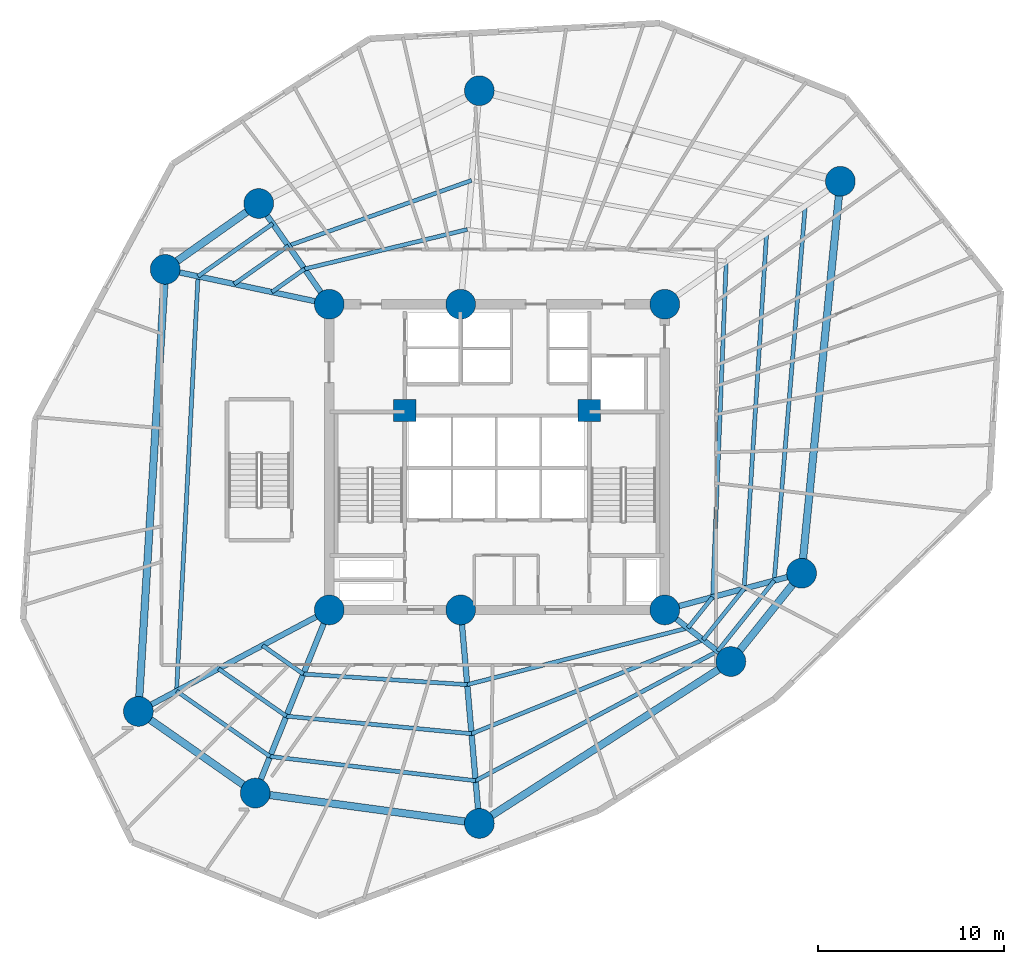
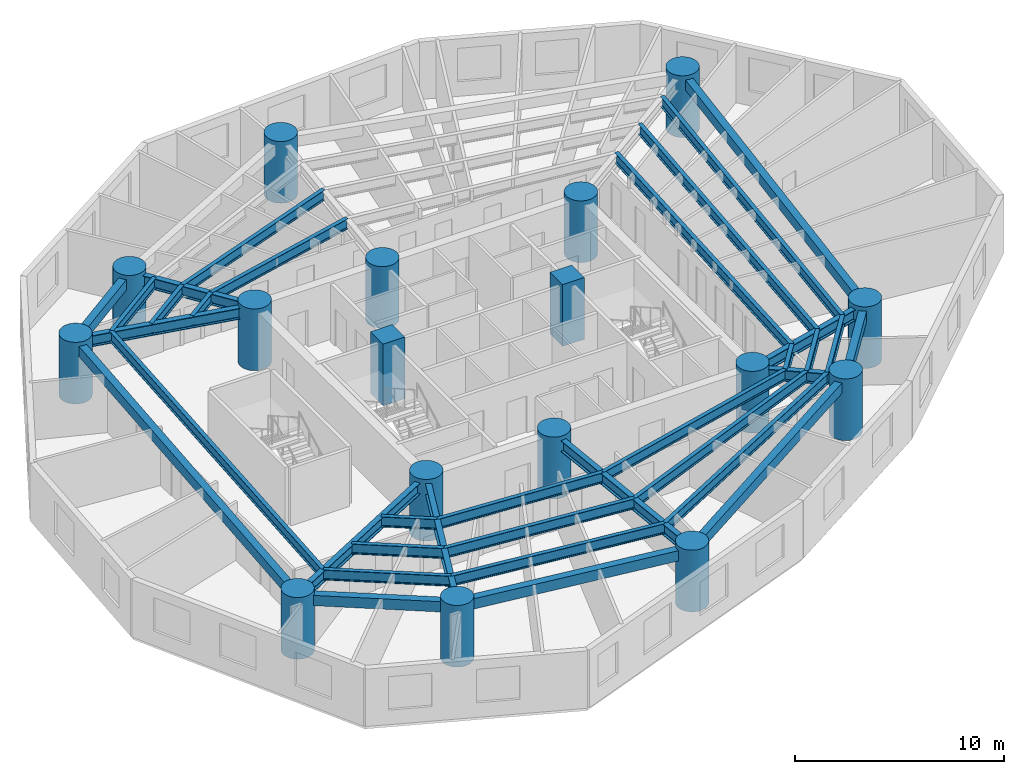
# One storey, part 1 of 8: 35 beams, 17 columns.
"""IFC4 building model written with IfcOpenShell, lengths in metres."""

from ifc_helpers import new_model, si_unit, direction, frame, origin, origin_with_axes, origin_2d, place, context, subcontext, project, spatial, rectangle, circle, i_section, extrude, source, transform, mapped, material, material_profile, profile_set, type_object, element, save


model = new_model("IFC4")

# Units and contexts
model_context = context("Model", 3, precision=1e-05, world=origin(), true_north=direction((0.0, 1.0)))
body_context = subcontext(model_context, "Body", "Model", "MODEL_VIEW")
ifc_project = project(units=[si_unit("LENGTHUNIT", "METRE"), si_unit("AREAUNIT", "SQUARE_METRE"), si_unit("VOLUMEUNIT", "CUBIC_METRE"), si_unit("PLANEANGLEUNIT", "RADIAN"), si_unit("MASSUNIT", "GRAM", prefix="KILO")], contexts=[model_context])

# Site, building, storey
site_placement = place(None, origin())
site = spatial("IfcSite", under=ifc_project, at=site_placement, CompositionType="ELEMENT")
building_placement = place(site_placement, origin())
building = spatial("IfcBuilding", under=site, at=building_placement, Name="Karkom Vertical University and Central Library", CompositionType="ELEMENT")
storey_placement = place(building_placement, frame((0.0, 0.0, 37.300048828125)))
storey = spatial("IfcBuildingStorey", under=building, at=storey_placement, Name="L09", CompositionType="ELEMENT", Elevation=37.300048828125)

# Columns
ifc_material_1 = material(Name="Concrete C50/60", Category="concrete")
ifc_material_profile_1 = material_profile(ifc_material_1, circle(Radius=0.800048828125, at=origin_2d()), Name="CFT-D1600")
ifc_profile_set_1 = profile_set([ifc_material_profile_1], Name="Concrete C50/60")
column_type_1 = type_object("IfcColumnType", Name="STR-COL-C-SC2", PredefinedType="COLUMN", material=ifc_profile_set_1)
shared_shape_1 = source(origin_with_axes(), body_context, "Body", "SweptSolid", [
    extrude(circle(Radius=0.800048828125, at=origin_2d()), origin(), (0.0, 0.0, 1.0), 3.599853515625),
])
for number, where, z_axis, x_axis, name in (
    (1, (19.5, 18.300048828125, 0.0), (0.0, 0.0, 1.0), (1.0, 0.0, 0.0), "Level 09 Spine Mega-Column SC-1"),
    (2, (26.550048828125, 18.300048828125, 0.0), (0.0, 0.0, 1.0), (1.0, 0.0, 0.0), "Level 09 Spine Mega-Column SC-2"),
    (3, (37.5, 18.300048828125, 0.0), (0.0, 0.0, 1.0), (1.0, 0.0, 0.0), "Level 09 Spine Mega-Column SC-3"),
    (4, (19.5, 34.699951171875, 0.0), (0.0, 0.0, 1.0), (1.0, 0.0, 0.0), "Level 09 Spine Mega-Column SC-4"),
    (5, (26.550048828125, 34.699951171875, 0.0), (0.0, 0.0, 1.0), (1.0, 0.0, 0.0), "Level 09 Spine Mega-Column SC-5"),
    (6, (37.5, 34.699951171875, 0.0), (0.0, 0.0, 1.0), (1.0, 0.0, 0.0), "Level 09 Spine Mega-Column SC-6"),
    (7, (44.841064453125, 20.26708984375, 0.0), (0.0, 0.0, 1.0), (1.0, 0.0, 0.0), "Level 09 Perimeter Mega-Column Z1-PC1"),
    (8, (46.919921875, 41.2958984375, 0.0), (0.0, 0.0, 1.0), (1.0, 0.0, 0.0), "Level 09 Perimeter Mega-Column Z1-PC2"),
    (9, (27.552001953125, 46.156005859375, 0.0), (0.0, 0.0, 1.0), (1.0, 0.0, 0.0), "Level 09 Perimeter Mega-Column Z1-PC3"),
    (10, (15.714111328125, 40.10595703125, 0.0), (0.0, 0.0, 1.0), (1.0, 0.0, 0.0), "Level 09 Perimeter Mega-Column Z1-PC4"),
    (11, (10.697021484375, 36.571044921875, 0.0), (0.0, 0.0, 1.0), (1.0, 0.0, 0.0), "Level 09 Perimeter Mega-Column Z1-PC5"),
    (12, (9.258056640625, 12.85400390625, 0.0), (0.0, 0.0, 1.0), (1.0, 0.0, 0.0), "Level 09 Perimeter Mega-Column Z1-PC6"),
    (13, (15.529052734375, 8.471923828125, 0.0), (0.0, 0.0, 1.0), (1.0, 0.0, 0.0), "Level 09 Perimeter Mega-Column Z1-PC7"),
    (14, (27.552001953125, 6.843994140625, 0.0), (0.0, 0.0, 1.0), (1.0, 0.0, 0.0), "Level 09 Perimeter Mega-Column Z1-PC8"),
    (15, (41.0458984375, 15.530029296875, 0.0), (0.0, 0.0, 1.0), (1.0, 0.0, 0.0), "Level 09 Perimeter Mega-Column Z1-PC9"),
):
    element("IfcColumn", number, at=place(storey_placement, frame(where, z_axis=z_axis, x_axis=x_axis)), inside=storey, type_object=column_type_1, Name=name, PredefinedType="COLUMN", context=body_context, shape_type="MappedRepresentation", body=[
        mapped(shared_shape_1, transform((0.0, 0.0, 0.0), scale=1.0)),
    ])
ifc_material_profile_2 = material_profile(ifc_material_1, rectangle(XDim=1.199951171875, YDim=1.199951171875, at=origin_2d()), Name="RC-1200x1200")
ifc_profile_set_2 = profile_set([ifc_material_profile_2], Name="Concrete C50/60")
column_type_2 = type_object("IfcColumnType", Name="STR-COL-C-CC1", PredefinedType="COLUMN", material=ifc_profile_set_2)
shared_shape_2 = source(origin_with_axes(), body_context, "Body", "SweptSolid", [
    extrude(rectangle(XDim=1.199951171875, YDim=1.199951171875, at=origin_2d()), origin(), (0.0, 0.0, 1.0), 3.599853515625),
])
for number, where, z_axis, x_axis, name in (
    (16, (23.550048828125, 29.0, 0.0), (0.0, 0.0, 1.0), (1.0, 0.0, 0.0), "Level 09 Core Node Column CC-1"),
    (17, (33.449951171875, 29.0, 0.0), (0.0, 0.0, 1.0), (1.0, 0.0, 0.0), "Level 09 Core Node Column CC-2"),
):
    element("IfcColumn", number, at=place(storey_placement, frame(where, z_axis=z_axis, x_axis=x_axis)), inside=storey, type_object=column_type_2, Name=name, PredefinedType="COLUMN", context=body_context, shape_type="MappedRepresentation", body=[
        mapped(shared_shape_2, transform((0.0, 0.0, 0.0), scale=1.0)),
    ])

# Beams
ifc_material_2 = material(Name="Steel S355", Category="steel")
ifc_material_profile_3 = material_profile(ifc_material_2, i_section(OverallWidth=0.300048828125, OverallDepth=0.64990234375, WebThickness=0.01611328125, FlangeThickness=0.031005859375, FilletRadius=0.027099609375, at=origin_2d()), Name="HE 650 B")
ifc_profile_set_3 = profile_set([ifc_material_profile_3], Name="Steel S355")
beam_type_1 = type_object("IfcBeamType", Name="STR-BM-SB-HE650", PredefinedType="USERDEFINED", material=ifc_profile_set_3)
shared_shape_3 = source(origin_with_axes(), body_context, "Body", "SweptSolid", [
    extrude(i_section(OverallWidth=0.300048828125, OverallDepth=0.64990234375, WebThickness=0.01611328125, FlangeThickness=0.031005859375, FilletRadius=0.027099609375, at=origin_2d()), origin(), (0.0, 0.0, 1.0), 7.60009765625),
])
beam_1_placement = place(storey_placement, frame((37.5, 18.300048828125, 3.02490234375), z_axis=(0.965925539322, 0.258820116077, 0.0), x_axis=(-0.258820116077, 0.965925539322, 0.0)))
element("IfcBeam", 18, at=beam_1_placement, inside=storey, type_object=beam_type_1, Name="Level 09 Radial Frame Girder 01", ObjectType="GIRDER", PredefinedType="USERDEFINED", context=body_context, shape_type="MappedRepresentation", body=[
    mapped(shared_shape_3, transform((0.0, 0.0, 0.0), scale=1.0)),
])
shared_shape_4 = source(origin_with_axes(), body_context, "Body", "SweptSolid", [
    extrude(i_section(OverallWidth=0.300048828125, OverallDepth=0.64990234375, WebThickness=0.01611328125, FlangeThickness=0.031005859375, FilletRadius=0.027099609375, at=origin_2d()), origin(), (0.0, 0.0, 1.0), 11.499755859375),
])
beam_2_placement = place(storey_placement, frame((26.550048828125, 18.300048828125, 3.02490234375), z_axis=(0.087127973109, -0.99619712723, 0.0), x_axis=(0.99619712723, 0.087127973109, 0.0)))
element("IfcBeam", 19, at=beam_2_placement, inside=storey, type_object=beam_type_1, Name="Level 09 Radial Frame Girder 08", ObjectType="GIRDER", PredefinedType="USERDEFINED", context=body_context, shape_type="MappedRepresentation", body=[
    mapped(shared_shape_4, transform((0.0, 0.0, 0.0), scale=1.0)),
])
shared_shape_5 = source(origin_with_axes(), body_context, "Body", "SweptSolid", [
    extrude(i_section(OverallWidth=0.300048828125, OverallDepth=0.64990234375, WebThickness=0.01611328125, FlangeThickness=0.031005859375, FilletRadius=0.027099609375, at=origin_2d()), origin(), (0.0, 0.0, 1.0), 6.599853515625),
])
beam_3_placement = place(storey_placement, frame((19.5, 34.699951171875, 3.02490234375), z_axis=(-0.573633636671, 0.819111989218, 0.0), x_axis=(-0.819111989218, -0.573633636671, 0.0)))
element("IfcBeam", 20, at=beam_3_placement, inside=storey, type_object=beam_type_1, Name="Level 09 Radial Frame Girder 04", ObjectType="GIRDER", PredefinedType="USERDEFINED", context=body_context, shape_type="MappedRepresentation", body=[
    mapped(shared_shape_5, transform((0.0, 0.0, 0.0), scale=1.0)),
])
shared_shape_6 = source(origin_with_axes(), body_context, "Body", "SweptSolid", [
    extrude(i_section(OverallWidth=0.300048828125, OverallDepth=0.64990234375, WebThickness=0.01611328125, FlangeThickness=0.031005859375, FilletRadius=0.027099609375, at=origin_2d()), origin(), (0.0, 0.0, 1.0), 8.999755859375),
])
beam_4_placement = place(storey_placement, frame((19.5, 34.699951171875, 3.02490234375), z_axis=(-0.978148438993, 0.207907747079, 0.0), x_axis=(-0.207907747079, -0.978148438993, 0.0)))
element("IfcBeam", 21, at=beam_4_placement, inside=storey, type_object=beam_type_1, Name="Level 09 Radial Frame Girder 05", ObjectType="GIRDER", PredefinedType="USERDEFINED", context=body_context, shape_type="MappedRepresentation", body=[
    mapped(shared_shape_6, transform((0.0, 0.0, 0.0), scale=1.0)),
])
shared_shape_7 = source(origin_with_axes(), body_context, "Body", "SweptSolid", [
    extrude(i_section(OverallWidth=0.300048828125, OverallDepth=0.64990234375, WebThickness=0.01611328125, FlangeThickness=0.031005859375, FilletRadius=0.027099609375, at=origin_2d()), origin(), (0.0, 0.0, 1.0), 11.599853515625),
])
beam_5_placement = place(storey_placement, frame((19.5, 18.300048828125, 3.02490234375), z_axis=(-0.882936620635, -0.469492197957, 0.0), x_axis=(0.469492197957, -0.882936620635, 0.0)))
element("IfcBeam", 22, at=beam_5_placement, inside=storey, type_object=beam_type_1, Name="Level 09 Radial Frame Girder 06", ObjectType="GIRDER", PredefinedType="USERDEFINED", context=body_context, shape_type="MappedRepresentation", body=[
    mapped(shared_shape_7, transform((0.0, 0.0, 0.0), scale=1.0)),
])
shared_shape_8 = source(origin_with_axes(), body_context, "Body", "SweptSolid", [
    extrude(i_section(OverallWidth=0.300048828125, OverallDepth=0.64990234375, WebThickness=0.01611328125, FlangeThickness=0.031005859375, FilletRadius=0.027099609375, at=origin_2d()), origin(), (0.0, 0.0, 1.0), 10.60009765625),
])
beam_6_placement = place(storey_placement, frame((19.5, 18.300048828125, 3.02490234375), z_axis=(-0.374616894394, -0.927179692635, 0.0), x_axis=(0.927179692635, -0.374616894394, 0.0)))
element("IfcBeam", 23, at=beam_6_placement, inside=storey, type_object=beam_type_1, Name="Level 09 Radial Frame Girder 07", ObjectType="GIRDER", PredefinedType="USERDEFINED", context=body_context, shape_type="MappedRepresentation", body=[
    mapped(shared_shape_8, transform((0.0, 0.0, 0.0), scale=1.0)),
])
shared_shape_9 = source(origin_with_axes(), body_context, "Body", "SweptSolid", [
    extrude(i_section(OverallWidth=0.300048828125, OverallDepth=0.64990234375, WebThickness=0.01611328125, FlangeThickness=0.031005859375, FilletRadius=0.027099609375, at=origin_2d()), origin(), (0.0, 0.0, 1.0), 4.49951171875),
])
beam_7_placement = place(storey_placement, frame((37.5, 18.300048828125, 3.02490234375), z_axis=(0.788047405801, -0.615614559778, 0.0), x_axis=(0.615614559778, 0.788047405801, 0.0)))
element("IfcBeam", 24, at=beam_7_placement, inside=storey, type_object=beam_type_1, Name="Level 09 Radial Frame Girder 09", ObjectType="GIRDER", PredefinedType="USERDEFINED", context=body_context, shape_type="MappedRepresentation", body=[
    mapped(shared_shape_9, transform((0.0, 0.0, 0.0), scale=1.0)),
])
ifc_material_3 = material(Name="Precast concrete C45/55", Category="concrete")
ifc_material_profile_4 = material_profile(ifc_material_3, rectangle(XDim=0.39990234375, YDim=0.60009765625, at=origin_2d()), Name="SPB-400x600")
ifc_profile_set_4 = profile_set([ifc_material_profile_4], Name="Precast concrete C45/55")
beam_type_2 = type_object("IfcBeamType", Name="STR-BM-SP-1", PredefinedType="SPANDREL", material=ifc_profile_set_4)
shared_shape_10 = source(origin_with_axes(), body_context, "Body", "SweptSolid", [
    extrude(rectangle(XDim=0.39990234375, YDim=0.60009765625, at=origin_2d()), origin(), (0.0, 0.0, 1.0), 21.13134765625),
])
beam_8_placement = place(storey_placement, frame((44.841064453125, 20.26708984375, 3.050048828125), z_axis=(0.0983780471, 0.995149114379, 0.0), x_axis=(-0.995149114379, 0.0983780471, 0.0)))
element("IfcBeam", 25, at=beam_8_placement, inside=storey, type_object=beam_type_2, Name="Level 09 Perimeter Spandrel Beam 01", PredefinedType="SPANDREL", context=body_context, shape_type="MappedRepresentation", body=[
    mapped(shared_shape_10, transform((0.0, 0.0, 0.0), scale=1.0)),
])
shared_shape_11 = source(origin_with_axes(), body_context, "Body", "SweptSolid", [
    extrude(rectangle(XDim=0.39990234375, YDim=0.60009765625, at=origin_2d()), origin(), (0.0, 0.0, 1.0), 6.13720703125),
])
beam_9_placement = place(storey_placement, frame((15.714111328125, 40.10595703125, 3.050048828125), z_axis=(-0.817471365538, -0.575969240955, 0.0), x_axis=(0.575969240955, -0.817471365538, 0.0)))
element("IfcBeam", 26, at=beam_9_placement, inside=storey, type_object=beam_type_2, Name="Level 09 Perimeter Spandrel Beam 04", PredefinedType="SPANDREL", context=body_context, shape_type="MappedRepresentation", body=[
    mapped(shared_shape_11, transform((0.0, 0.0, 0.0), scale=1.0)),
])
shared_shape_12 = source(origin_with_axes(), body_context, "Body", "SweptSolid", [
    extrude(rectangle(XDim=0.39990234375, YDim=0.60009765625, at=origin_2d()), origin(), (0.0, 0.0, 1.0), 23.7607421875),
])
beam_10_placement = place(storey_placement, frame((10.697021484375, 36.571044921875, 3.050048828125), z_axis=(-0.060560827767, -0.998164508556, 0.0), x_axis=(0.998164508556, -0.060560827767, 0.0)))
element("IfcBeam", 27, at=beam_10_placement, inside=storey, type_object=beam_type_2, Name="Level 09 Perimeter Spandrel Beam 05", PredefinedType="SPANDREL", context=body_context, shape_type="MappedRepresentation", body=[
    mapped(shared_shape_12, transform((0.0, 0.0, 0.0), scale=1.0)),
])
shared_shape_13 = source(origin_with_axes(), body_context, "Body", "SweptSolid", [
    extrude(rectangle(XDim=0.39990234375, YDim=0.60009765625, at=origin_2d()), origin(), (0.0, 0.0, 1.0), 7.650390625),
])
beam_11_placement = place(storey_placement, frame((9.258056640625, 12.85400390625, 3.050048828125), z_axis=(0.819699409527, -0.572793922822, 0.0), x_axis=(0.572793922822, 0.819699409527, 0.0)))
element("IfcBeam", 28, at=beam_11_placement, inside=storey, type_object=beam_type_2, Name="Level 09 Perimeter Spandrel Beam 06", PredefinedType="SPANDREL", context=body_context, shape_type="MappedRepresentation", body=[
    mapped(shared_shape_13, transform((0.0, 0.0, 0.0), scale=1.0)),
])
shared_shape_14 = source(origin_with_axes(), body_context, "Body", "SweptSolid", [
    extrude(rectangle(XDim=0.39990234375, YDim=0.60009765625, at=origin_2d()), origin(), (0.0, 0.0, 1.0), 12.132568359375),
])
beam_12_placement = place(storey_placement, frame((15.529052734375, 8.471923828125, 3.050048828125), z_axis=(0.990957319008, -0.134177464223, 0.0), x_axis=(0.134177464223, 0.990957319008, 0.0)))
element("IfcBeam", 29, at=beam_12_placement, inside=storey, type_object=beam_type_2, Name="Level 09 Perimeter Spandrel Beam 07", PredefinedType="SPANDREL", context=body_context, shape_type="MappedRepresentation", body=[
    mapped(shared_shape_14, transform((0.0, 0.0, 0.0), scale=1.0)),
])
shared_shape_15 = source(origin_with_axes(), body_context, "Body", "SweptSolid", [
    extrude(rectangle(XDim=0.39990234375, YDim=0.60009765625, at=origin_2d()), origin(), (0.0, 0.0, 1.0), 16.0478515625),
])
beam_13_placement = place(storey_placement, frame((27.552001953125, 6.843994140625, 3.050048828125), z_axis=(0.84085555045, 0.541259589548, 0.0), x_axis=(-0.541259589548, 0.84085555045, 0.0)))
element("IfcBeam", 30, at=beam_13_placement, inside=storey, type_object=beam_type_2, Name="Level 09 Perimeter Spandrel Beam 08", PredefinedType="SPANDREL", context=body_context, shape_type="MappedRepresentation", body=[
    mapped(shared_shape_15, transform((0.0, 0.0, 0.0), scale=1.0)),
])
shared_shape_16 = source(origin_with_axes(), body_context, "Body", "SweptSolid", [
    extrude(rectangle(XDim=0.39990234375, YDim=0.60009765625, at=origin_2d()), origin(), (0.0, 0.0, 1.0), 6.06982421875),
])
beam_14_placement = place(storey_placement, frame((41.0458984375, 15.530029296875, 3.050048828125), z_axis=(0.625249167344, 0.780425190992, 0.0), x_axis=(-0.780425190992, 0.625249167344, 0.0)))
element("IfcBeam", 31, at=beam_14_placement, inside=storey, type_object=beam_type_2, Name="Level 09 Perimeter Spandrel Beam 09", PredefinedType="SPANDREL", context=body_context, shape_type="MappedRepresentation", body=[
    mapped(shared_shape_16, transform((0.0, 0.0, 0.0), scale=1.0)),
])
ifc_material_profile_5 = material_profile(ifc_material_2, i_section(OverallWidth=0.219970703125, OverallDepth=0.60009765625, WebThickness=0.011962890625, FlangeThickness=0.01904296875, FilletRadius=0.02392578125, at=origin_2d()), Name="IPE 600")
ifc_profile_set_5 = profile_set([ifc_material_profile_5], Name="Steel S355")
beam_type_3 = type_object("IfcBeamType", Name="STR-BM-SB-IPE600", PredefinedType="BEAM", material=ifc_profile_set_5)
shared_shape_17 = source(origin_with_axes(), body_context, "Body", "SweptSolid", [
    extrude(i_section(OverallWidth=0.219970703125, OverallDepth=0.60009765625, WebThickness=0.011962890625, FlangeThickness=0.01904296875, FilletRadius=0.02392578125, at=origin_2d()), origin(), (0.0, 0.0, 1.0), 18.03466796875),
])
beam_15_placement = place(storey_placement, frame((40.0693359375, 18.988525390625, 3.050048828125), z_axis=(0.04035458262, 0.999185422062, 0.0), x_axis=(-0.999185422062, 0.04035458262, 0.0)))
element("IfcBeam", 32, at=beam_15_placement, inside=storey, type_object=beam_type_3, Name="Level 09 Secondary Composite Floor Beam 1.01", PredefinedType="BEAM", context=body_context, shape_type="MappedRepresentation", body=[
    mapped(shared_shape_17, transform((0.0, 0.0, 0.0), scale=1.0)),
])
shared_shape_18 = source(origin_with_axes(), body_context, "Body", "SweptSolid", [
    extrude(i_section(OverallWidth=0.219970703125, OverallDepth=0.60009765625, WebThickness=0.011962890625, FlangeThickness=0.01904296875, FilletRadius=0.02392578125, at=origin_2d()), origin(), (0.0, 0.0, 1.0), 8.97900390625),
])
beam_16_placement = place(storey_placement, frame((26.900634765625, 38.709716796875, 3.050048828125), z_axis=(-0.971790837509, -0.235844372697, 0.0), x_axis=(0.235844372697, -0.971790837509, 0.0)))
element("IfcBeam", 33, at=beam_16_placement, inside=storey, type_object=beam_type_3, Name="Level 09 Secondary Composite Floor Beam 1.03", PredefinedType="BEAM", context=body_context, shape_type="MappedRepresentation", body=[
    mapped(shared_shape_18, transform((0.0, 0.0, 0.0), scale=1.0)),
])
shared_shape_19 = source(origin_with_axes(), body_context, "Body", "SweptSolid", [
    extrude(i_section(OverallWidth=0.219970703125, OverallDepth=0.60009765625, WebThickness=0.011962890625, FlangeThickness=0.01904296875, FilletRadius=0.02392578125, at=origin_2d()), origin(), (0.0, 0.0, 1.0), 2.14794921875),
])
beam_17_placement = place(storey_placement, frame((18.1748046875, 36.592041015625, 3.050048828125), z_axis=(-0.817433780971, -0.576022580918, 0.0), x_axis=(0.576022580918, -0.817433780971, 0.0)))
element("IfcBeam", 34, at=beam_17_placement, inside=storey, type_object=beam_type_3, Name="Level 09 Secondary Composite Floor Beam 1.04", PredefinedType="BEAM", context=body_context, shape_type="MappedRepresentation", body=[
    mapped(shared_shape_19, transform((0.0, 0.0, 0.0), scale=1.0)),
])
shared_shape_20 = source(origin_with_axes(), body_context, "Body", "SweptSolid", [
    extrude(i_section(OverallWidth=0.219970703125, OverallDepth=0.60009765625, WebThickness=0.011962890625, FlangeThickness=0.01904296875, FilletRadius=0.02392578125, at=origin_2d()), origin(), (0.0, 0.0, 1.0), 2.677490234375),
])
beam_18_placement = place(storey_placement, frame((15.915283203125, 16.393798828125, 3.050048828125), z_axis=(0.819702839548, -0.572789014243, 0.0), x_axis=(0.572789014243, 0.819702839548, 0.0)))
element("IfcBeam", 35, at=beam_18_placement, inside=storey, type_object=beam_type_3, Name="Level 09 Secondary Composite Floor Beam 1.06", PredefinedType="BEAM", context=body_context, shape_type="MappedRepresentation", body=[
    mapped(shared_shape_20, transform((0.0, 0.0, 0.0), scale=1.0)),
])
shared_shape_21 = source(origin_with_axes(), body_context, "Body", "SweptSolid", [
    extrude(i_section(OverallWidth=0.219970703125, OverallDepth=0.60009765625, WebThickness=0.011962890625, FlangeThickness=0.01904296875, FilletRadius=0.02392578125, at=origin_2d()), origin(), (0.0, 0.0, 1.0), 8.80908203125),
])
beam_19_placement = place(storey_placement, frame((18.110107421875, 14.860107421875, 3.050048828125), z_axis=(0.997905617906, -0.064686766433, 0.0), x_axis=(0.064686766433, 0.997905617906, 0.0)))
element("IfcBeam", 36, at=beam_19_placement, inside=storey, type_object=beam_type_3, Name="Level 09 Secondary Composite Floor Beam 1.07", PredefinedType="BEAM", context=body_context, shape_type="MappedRepresentation", body=[
    mapped(shared_shape_21, transform((0.0, 0.0, 0.0), scale=1.0)),
])
shared_shape_22 = source(origin_with_axes(), body_context, "Body", "SweptSolid", [
    extrude(i_section(OverallWidth=0.219970703125, OverallDepth=0.60009765625, WebThickness=0.011962890625, FlangeThickness=0.01904296875, FilletRadius=0.02392578125, at=origin_2d()), origin(), (0.0, 0.0, 1.0), 12.224609375),
])
beam_20_placement = place(storey_placement, frame((26.900634765625, 14.290283203125, 3.050048828125), z_axis=(0.968580403264, 0.248700628092, 0.0), x_axis=(-0.248700628092, 0.968580403264, 0.0)))
element("IfcBeam", 37, at=beam_20_placement, inside=storey, type_object=beam_type_3, Name="Level 09 Secondary Composite Floor Beam 1.08", PredefinedType="BEAM", context=body_context, shape_type="MappedRepresentation", body=[
    mapped(shared_shape_22, transform((0.0, 0.0, 0.0), scale=1.0)),
])
shared_shape_23 = source(origin_with_axes(), body_context, "Body", "SweptSolid", [
    extrude(i_section(OverallWidth=0.219970703125, OverallDepth=0.60009765625, WebThickness=0.011962890625, FlangeThickness=0.01904296875, FilletRadius=0.02392578125, at=origin_2d()), origin(), (0.0, 0.0, 1.0), 2.124267578125),
])
beam_21_placement = place(storey_placement, frame((38.7412109375, 17.33056640625, 3.050048828125), z_axis=(0.625199471959, 0.780465002587, 0.0), x_axis=(-0.780465002587, 0.625199471959, 0.0)))
element("IfcBeam", 38, at=beam_21_placement, inside=storey, type_object=beam_type_3, Name="Level 09 Secondary Composite Floor Beam 1.09", PredefinedType="BEAM", context=body_context, shape_type="MappedRepresentation", body=[
    mapped(shared_shape_23, transform((0.0, 0.0, 0.0), scale=1.0)),
])
shared_shape_24 = source(origin_with_axes(), body_context, "Body", "SweptSolid", [
    extrude(i_section(OverallWidth=0.219970703125, OverallDepth=0.60009765625, WebThickness=0.011962890625, FlangeThickness=0.01904296875, FilletRadius=0.02392578125, at=origin_2d()), origin(), (0.0, 0.0, 1.0), 19.122802734375),
])
beam_22_placement = place(storey_placement, frame((41.7578125, 19.44091796875, 3.050048828125), z_axis=(0.063056264597, 0.998009973645, 0.0), x_axis=(-0.998009973645, 0.063056264597, 0.0)))
element("IfcBeam", 39, at=beam_22_placement, inside=storey, type_object=beam_type_3, Name="Level 09 Secondary Composite Floor Beam 2.01", PredefinedType="BEAM", context=body_context, shape_type="MappedRepresentation", body=[
    mapped(shared_shape_24, transform((0.0, 0.0, 0.0), scale=1.0)),
])
shared_shape_25 = source(origin_with_axes(), body_context, "Body", "SweptSolid", [
    extrude(i_section(OverallWidth=0.219970703125, OverallDepth=0.60009765625, WebThickness=0.011962890625, FlangeThickness=0.01904296875, FilletRadius=0.02392578125, at=origin_2d()), origin(), (0.0, 0.0, 1.0), 10.4345703125),
])
beam_23_placement = place(storey_placement, frame((27.131103515625, 41.344482421875, 3.050048828125), z_axis=(-0.941759378798, -0.336287484819, 0.0), x_axis=(0.336287484819, -0.941759378798, 0.0)))
element("IfcBeam", 40, at=beam_23_placement, inside=storey, type_object=beam_type_3, Name="Level 09 Secondary Composite Floor Beam 2.03", PredefinedType="BEAM", context=body_context, shape_type="MappedRepresentation", body=[
    mapped(shared_shape_25, transform((0.0, 0.0, 0.0), scale=1.0)),
])
shared_shape_26 = source(origin_with_axes(), body_context, "Body", "SweptSolid", [
    extrude(i_section(OverallWidth=0.219970703125, OverallDepth=0.60009765625, WebThickness=0.011962890625, FlangeThickness=0.01904296875, FilletRadius=0.02392578125, at=origin_2d()), origin(), (0.0, 0.0, 1.0), 3.5595703125),
])
beam_24_placement = place(storey_placement, frame((17.30419921875, 37.83544921875, 3.050048828125), z_axis=(-0.817465552849, -0.575977490798, 0.0), x_axis=(0.575977490798, -0.817465552849, 0.0)))
element("IfcBeam", 41, at=beam_24_placement, inside=storey, type_object=beam_type_3, Name="Level 09 Secondary Composite Floor Beam 2.04", PredefinedType="BEAM", context=body_context, shape_type="MappedRepresentation", body=[
    mapped(shared_shape_26, transform((0.0, 0.0, 0.0), scale=1.0)),
])
shared_shape_27 = source(origin_with_axes(), body_context, "Body", "SweptSolid", [
    extrude(i_section(OverallWidth=0.219970703125, OverallDepth=0.60009765625, WebThickness=0.011962890625, FlangeThickness=0.01904296875, FilletRadius=0.02392578125, at=origin_2d()), origin(), (0.0, 0.0, 1.0), 4.437255859375),
])
beam_25_placement = place(storey_placement, frame((13.5595703125, 15.141357421875, 3.050048828125), z_axis=(0.819712425733, -0.572775295468, 0.0), x_axis=(0.572775295468, 0.819712425733, 0.0)))
element("IfcBeam", 42, at=beam_25_placement, inside=storey, type_object=beam_type_3, Name="Level 09 Secondary Composite Floor Beam 2.06", PredefinedType="BEAM", context=body_context, shape_type="MappedRepresentation", body=[
    mapped(shared_shape_27, transform((0.0, 0.0, 0.0), scale=1.0)),
])
shared_shape_28 = source(origin_with_axes(), body_context, "Body", "SweptSolid", [
    extrude(i_section(OverallWidth=0.219970703125, OverallDepth=0.60009765625, WebThickness=0.011962890625, FlangeThickness=0.01904296875, FilletRadius=0.02392578125, at=origin_2d()), origin(), (0.0, 0.0, 1.0), 9.97900390625),
])
beam_26_placement = place(storey_placement, frame((17.19677734375, 12.599853515625, 3.050048828125), z_axis=(0.995512389915, -0.094631292526, 0.0), x_axis=(0.094631292526, 0.995512389915, 0.0)))
element("IfcBeam", 43, at=beam_26_placement, inside=storey, type_object=beam_type_3, Name="Level 09 Secondary Composite Floor Beam 2.07", PredefinedType="BEAM", context=body_context, shape_type="MappedRepresentation", body=[
    mapped(shared_shape_28, transform((0.0, 0.0, 0.0), scale=1.0)),
])
shared_shape_29 = source(origin_with_axes(), body_context, "Body", "SweptSolid", [
    extrude(i_section(OverallWidth=0.219970703125, OverallDepth=0.60009765625, WebThickness=0.011962890625, FlangeThickness=0.01904296875, FilletRadius=0.02392578125, at=origin_2d()), origin(), (0.0, 0.0, 1.0), 13.407958984375),
])
beam_27_placement = place(storey_placement, frame((27.131103515625, 11.655517578125, 3.050048828125), z_axis=(0.926727273371, 0.375734694685, 0.0), x_axis=(-0.375734694685, 0.926727273371, 0.0)))
element("IfcBeam", 44, at=beam_27_placement, inside=storey, type_object=beam_type_3, Name="Level 09 Secondary Composite Floor Beam 2.08", PredefinedType="BEAM", context=body_context, shape_type="MappedRepresentation", body=[
    mapped(shared_shape_29, transform((0.0, 0.0, 0.0), scale=1.0)),
])
shared_shape_30 = source(origin_with_axes(), body_context, "Body", "SweptSolid", [
    extrude(i_section(OverallWidth=0.219970703125, OverallDepth=0.60009765625, WebThickness=0.011962890625, FlangeThickness=0.01904296875, FilletRadius=0.02392578125, at=origin_2d()), origin(), (0.0, 0.0, 1.0), 3.5205078125),
])
beam_28_placement = place(storey_placement, frame((39.556640625, 16.693359375, 3.050048828125), z_axis=(0.62523614548, 0.780435623473, 0.0), x_axis=(-0.780435623473, 0.62523614548, 0.0)))
element("IfcBeam", 45, at=beam_28_placement, inside=storey, type_object=beam_type_3, Name="Level 09 Secondary Composite Floor Beam 2.09", PredefinedType="BEAM", context=body_context, shape_type="MappedRepresentation", body=[
    mapped(shared_shape_30, transform((0.0, 0.0, 0.0), scale=1.0)),
])
shared_shape_31 = source(origin_with_axes(), body_context, "Body", "SweptSolid", [
    extrude(i_section(OverallWidth=0.219970703125, OverallDepth=0.60009765625, WebThickness=0.011962890625, FlangeThickness=0.01904296875, FilletRadius=0.02392578125, at=origin_2d()), origin(), (0.0, 0.0, 1.0), 20.171875),
])
beam_29_placement = place(storey_placement, frame((43.372802734375, 19.87353515625, 3.050048828125), z_axis=(0.082445490935, 0.996595575459, 0.0), x_axis=(-0.996595575459, 0.082445490935, 0.0)))
element("IfcBeam", 46, at=beam_29_placement, inside=storey, type_object=beam_type_3, Name="Level 09 Secondary Composite Floor Beam 3.01", PredefinedType="BEAM", context=body_context, shape_type="MappedRepresentation", body=[
    mapped(shared_shape_31, transform((0.0, 0.0, 0.0), scale=1.0)),
])
shared_shape_32 = source(origin_with_axes(), body_context, "Body", "SweptSolid", [
    extrude(i_section(OverallWidth=0.219970703125, OverallDepth=0.60009765625, WebThickness=0.011962890625, FlangeThickness=0.01904296875, FilletRadius=0.02392578125, at=origin_2d()), origin(), (0.0, 0.0, 1.0), 4.909912109375),
])
beam_30_placement = place(storey_placement, frame((16.47119140625, 39.02490234375, 3.050048828125), z_axis=(-0.817452635759, -0.575995823153, 0.0), x_axis=(0.575995823153, -0.817452635759, 0.0)))
element("IfcBeam", 47, at=beam_30_placement, inside=storey, type_object=beam_type_3, Name="Level 09 Secondary Composite Floor Beam 3.04", PredefinedType="BEAM", context=body_context, shape_type="MappedRepresentation", body=[
    mapped(shared_shape_32, transform((0.0, 0.0, 0.0), scale=1.0)),
])
shared_shape_33 = source(origin_with_axes(), body_context, "Body", "SweptSolid", [
    extrude(i_section(OverallWidth=0.219970703125, OverallDepth=0.60009765625, WebThickness=0.011962890625, FlangeThickness=0.01904296875, FilletRadius=0.02392578125, at=origin_2d()), origin(), (0.0, 0.0, 1.0), 22.283447265625),
])
beam_31_placement = place(storey_placement, frame((12.45751953125, 36.19677734375, 3.050048828125), z_axis=(-0.051658288147, -0.998664819279, 0.0), x_axis=(0.998664819279, -0.051658288147, 0.0)))
element("IfcBeam", 48, at=beam_31_placement, inside=storey, type_object=beam_type_3, Name="Level 09 Secondary Composite Floor Beam 3.05", PredefinedType="BEAM", context=body_context, shape_type="MappedRepresentation", body=[
    mapped(shared_shape_33, transform((0.0, 0.0, 0.0), scale=1.0)),
])
shared_shape_34 = source(origin_with_axes(), body_context, "Body", "SweptSolid", [
    extrude(i_section(OverallWidth=0.219970703125, OverallDepth=0.60009765625, WebThickness=0.011962890625, FlangeThickness=0.01904296875, FilletRadius=0.02392578125, at=origin_2d()), origin(), (0.0, 0.0, 1.0), 6.120361328125),
])
beam_32_placement = place(storey_placement, frame((11.306396484375, 13.943115234375, 3.050048828125), z_axis=(0.81970577287, -0.572784816422, 0.0), x_axis=(0.572784816422, 0.81970577287, 0.0)))
element("IfcBeam", 49, at=beam_32_placement, inside=storey, type_object=beam_type_3, Name="Level 09 Secondary Composite Floor Beam 3.06", PredefinedType="BEAM", context=body_context, shape_type="MappedRepresentation", body=[
    mapped(shared_shape_34, transform((0.0, 0.0, 0.0), scale=1.0)),
])
shared_shape_35 = source(origin_with_axes(), body_context, "Body", "SweptSolid", [
    extrude(i_section(OverallWidth=0.219970703125, OverallDepth=0.60009765625, WebThickness=0.011962890625, FlangeThickness=0.01904296875, FilletRadius=0.02392578125, at=origin_2d()), origin(), (0.0, 0.0, 1.0), 11.10498046875),
])
beam_33_placement = place(storey_placement, frame((16.3232421875, 10.4375, 3.050048828125), z_axis=(0.993100390447, -0.117267278018, 0.0), x_axis=(0.117267278018, 0.993100390447, 0.0)))
element("IfcBeam", 50, at=beam_33_placement, inside=storey, type_object=beam_type_3, Name="Level 09 Secondary Composite Floor Beam 3.07", PredefinedType="BEAM", context=body_context, shape_type="MappedRepresentation", body=[
    mapped(shared_shape_35, transform((0.0, 0.0, 0.0), scale=1.0)),
])
shared_shape_36 = source(origin_with_axes(), body_context, "Body", "SweptSolid", [
    extrude(i_section(OverallWidth=0.219970703125, OverallDepth=0.60009765625, WebThickness=0.011962890625, FlangeThickness=0.01904296875, FilletRadius=0.02392578125, at=origin_2d()), origin(), (0.0, 0.0, 1.0), 14.727783203125),
])
beam_34_placement = place(storey_placement, frame((27.3515625, 9.13525390625, 3.050048828125), z_axis=(0.881697726656, 0.471814708131, 0.0), x_axis=(-0.471814708131, 0.881697726656, 0.0)))
element("IfcBeam", 51, at=beam_34_placement, inside=storey, type_object=beam_type_3, Name="Level 09 Secondary Composite Floor Beam 3.08", PredefinedType="BEAM", context=body_context, shape_type="MappedRepresentation", body=[
    mapped(shared_shape_36, transform((0.0, 0.0, 0.0), scale=1.0)),
])
shared_shape_37 = source(origin_with_axes(), body_context, "Body", "SweptSolid", [
    extrude(i_section(OverallWidth=0.219970703125, OverallDepth=0.60009765625, WebThickness=0.011962890625, FlangeThickness=0.01904296875, FilletRadius=0.02392578125, at=origin_2d()), origin(), (0.0, 0.0, 1.0), 4.855712890625),
])
beam_35_placement = place(storey_placement, frame((40.3369140625, 16.083984375, 3.050048828125), z_axis=(0.62522835738, 0.780441862747, 0.0), x_axis=(-0.780441862747, 0.62522835738, 0.0)))
element("IfcBeam", 52, at=beam_35_placement, inside=storey, type_object=beam_type_3, Name="Level 09 Secondary Composite Floor Beam 3.09", PredefinedType="BEAM", context=body_context, shape_type="MappedRepresentation", body=[
    mapped(shared_shape_37, transform((0.0, 0.0, 0.0), scale=1.0)),
])

save(model, "model.ifc")
